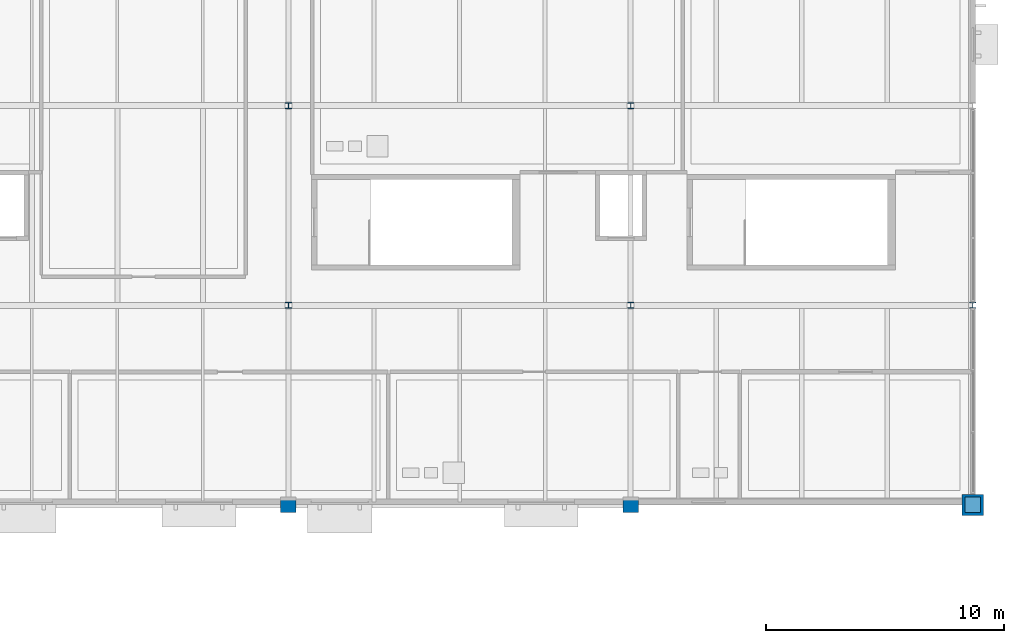
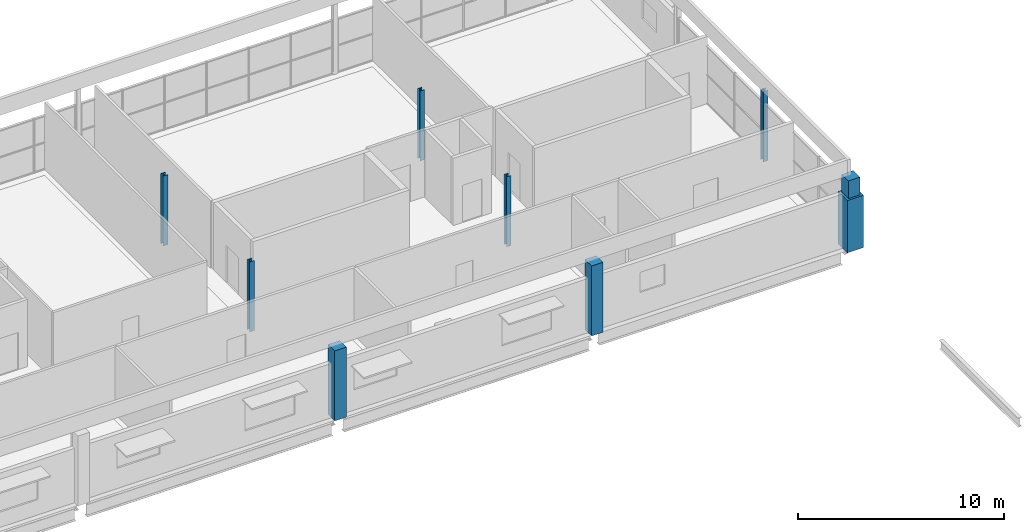
# One storey, part 5 of 43: 9 columns.
"""IFC4 building model written with IfcOpenShell, lengths in metres."""

from ifc_helpers import new_model, si_unit, direction, frame, origin, origin_2d, place, context, subcontext, project, spatial, rectangle, i_section, extrude, material, material_profile, profile_set, type_object, element, save


model = new_model("IFC4")

# Units and contexts
model_context = context("Model", 3, precision=1e-05, world=origin(), true_north=direction((0.0, 1.0)))
body_context = subcontext(model_context, "Body", "Model", "MODEL_VIEW")
ifc_project = project(units=[si_unit("LENGTHUNIT", "METRE"), si_unit("AREAUNIT", "SQUARE_METRE"), si_unit("VOLUMEUNIT", "CUBIC_METRE"), si_unit("PLANEANGLEUNIT", "RADIAN"), si_unit("MASSUNIT", "GRAM", prefix="KILO"), si_unit("THERMODYNAMICTEMPERATUREUNIT", "KELVIN")], contexts=[model_context])

# Site, building, storey
site_placement = place(None, origin())
site = spatial("IfcSite", under=ifc_project, at=site_placement, CompositionType="ELEMENT")
building_placement = place(site_placement, origin())
building = spatial("IfcBuilding", under=site, at=building_placement, Name="Nduvali Passage Aquatics Centre", CompositionType="ELEMENT")
storey_placement = place(building_placement, frame((0.0, 0.0, 17.39990234375)))
storey = spatial("IfcBuildingStorey", under=building, at=storey_placement, Name="L04", CompositionType="ELEMENT", Elevation=17.39990234375)

# Columns
ifc_material_1 = material(Name="Steel S355", Category="steel")
ifc_material_profile_1 = material_profile(ifc_material_1, i_section(OverallWidth=0.260009765625, OverallDepth=0.260009765625, WebThickness=0.010009765625, FlangeThickness=0.017578125, FilletRadius=0.02392578125, at=origin_2d()), Name="HEB 260")
ifc_profile_set_1 = profile_set([ifc_material_profile_1], Name="Steel S355")
column_type_1 = type_object("IfcColumnType", Name="STR-COL-HEB260", PredefinedType="COLUMN", material=ifc_profile_set_1)
for number, where, z_axis, x_axis, name in (
    (1, (97.199951171875, 100.800048828125, 0.0), (0.0, 0.0, 1.0), (1.0, 0.0, 0.0), "L04 Column C10 (97.2, 100.8)"),
    (2, (97.199951171875, 109.199951171875, 0.0), (0.0, 0.0, 1.0), (1.0, 0.0, 0.0), "L04 Column C10 (97.2, 109.2)"),
    (3, (111.60009765625, 100.800048828125, 0.0), (0.0, 0.0, 1.0), (1.0, 0.0, 0.0), "L04 Column C10 (111.6, 100.8)"),
    (4, (111.60009765625, 109.199951171875, 0.0), (0.0, 0.0, 1.0), (1.0, 0.0, 0.0), "L04 Column C10 (111.6, 109.2)"),
):
    element("IfcColumn", number, at=place(storey_placement, frame(where, z_axis=z_axis, x_axis=x_axis)), inside=storey, type_object=column_type_1, Name=name, PredefinedType="COLUMN", context=body_context, shape_type="SweptSolid", body=[
        extrude(i_section(OverallWidth=0.260009765625, OverallDepth=0.260009765625, WebThickness=0.010009765625, FlangeThickness=0.017578125, FilletRadius=0.02392578125, at=origin_2d()), origin(), (0.0, 0.0, 1.0), 4.150146484375),
    ])
ifc_material_profile_2 = material_profile(ifc_material_1, i_section(OverallWidth=0.260009765625, OverallDepth=0.260009765625, WebThickness=0.010009765625, FlangeThickness=0.017578125, FilletRadius=0.02392578125, at=origin_2d()), Name="HEB 260")
ifc_profile_set_2 = profile_set([ifc_material_profile_2], Name="Steel S355")
column_type_2 = type_object("IfcColumnType", Name="STR-COL-HEB260-EXT", PredefinedType="COLUMN", material=ifc_profile_set_2)
column_1_placement = place(storey_placement, frame((126.0, 100.800048828125, 0.0), z_axis=(0.0, 0.0, 1.0), x_axis=(1.0, 0.0, 0.0)))
element("IfcColumn", 5, at=column_1_placement, inside=storey, type_object=column_type_2, Name="L04 Column C10E (126.0, 100.8)", PredefinedType="COLUMN", context=body_context, shape_type="SweptSolid", body=[
    extrude(i_section(OverallWidth=0.260009765625, OverallDepth=0.260009765625, WebThickness=0.010009765625, FlangeThickness=0.017578125, FilletRadius=0.02392578125, at=origin_2d()), origin(), (0.0, 0.0, 1.0), 4.150146484375),
])
ifc_material_2 = material(Name="Concrete C40/50", Category="concrete")
ifc_material_profile_3 = material_profile(ifc_material_2, rectangle(XDim=0.64990234375, YDim=0.64990234375, at=origin_2d()), Name="RC 650x650")
ifc_profile_set_3 = profile_set([ifc_material_profile_3], Name="Concrete C40/50")
column_type_3 = type_object("IfcColumnType", Name="STR-COL-RC650-EXT", PredefinedType="COLUMN", material=ifc_profile_set_3)
for number, where, z_axis, x_axis, name in (
    (6, (97.199951171875, 92.39990234375, 0.0), (0.0, 0.0, 1.0), (1.0, 0.0, 0.0), "L04 Column C3E (97.2, 92.4)"),
    (7, (111.60009765625, 92.39990234375, 0.0), (0.0, 0.0, 1.0), (1.0, 0.0, 0.0), "L04 Column C3E (111.6, 92.4)"),
):
    element("IfcColumn", number, at=place(storey_placement, frame(where, z_axis=z_axis, x_axis=x_axis)), inside=storey, type_object=column_type_3, Name=name, PredefinedType="COLUMN", context=body_context, shape_type="SweptSolid", body=[
        extrude(rectangle(XDim=0.64990234375, YDim=0.64990234375, at=origin_2d()), origin(), (0.0, 0.0, 1.0), 4.150146484375),
    ])
column_2_placement = place(storey_placement, frame((126.0, 92.39990234375, 3.108154296875), z_axis=(0.0, 0.0, 1.0), x_axis=(1.0, 0.0, 0.0)))
element("IfcColumn", 8, at=column_2_placement, inside=storey, type_object=column_type_3, Name="L04 Column C3E (126.0, 92.4)", PredefinedType="COLUMN", context=body_context, shape_type="SweptSolid", body=[
    extrude(rectangle(XDim=0.64990234375, YDim=0.64990234375, at=origin_2d()), origin(), (0.0, 0.0, 1.0), 1.0419921875),
])
ifc_material_profile_4 = material_profile(ifc_material_2, rectangle(XDim=0.89990234375, YDim=0.89990234375, at=origin_2d()), Name="RC 900x900")
ifc_profile_set_4 = profile_set([ifc_material_profile_4], Name="Concrete C40/50")
column_type_4 = type_object("IfcColumnType", Name="STR-COL-RC900-EXT", PredefinedType="COLUMN", material=ifc_profile_set_4)
column_3_placement = place(storey_placement, frame((126.0, 92.39990234375, 0.0), z_axis=(0.0, 0.0, 1.0), x_axis=(1.0, 0.0, 0.0)))
element("IfcColumn", 9, at=column_3_placement, inside=storey, type_object=column_type_4, Name="L04 Column C1E (126.0, 92.4)", PredefinedType="COLUMN", context=body_context, shape_type="SweptSolid", body=[
    extrude(rectangle(XDim=0.89990234375, YDim=0.89990234375, at=origin_2d()), origin(), (0.0, 0.0, 1.0), 3.108154296875),
])

save(model, "model.ifc")
